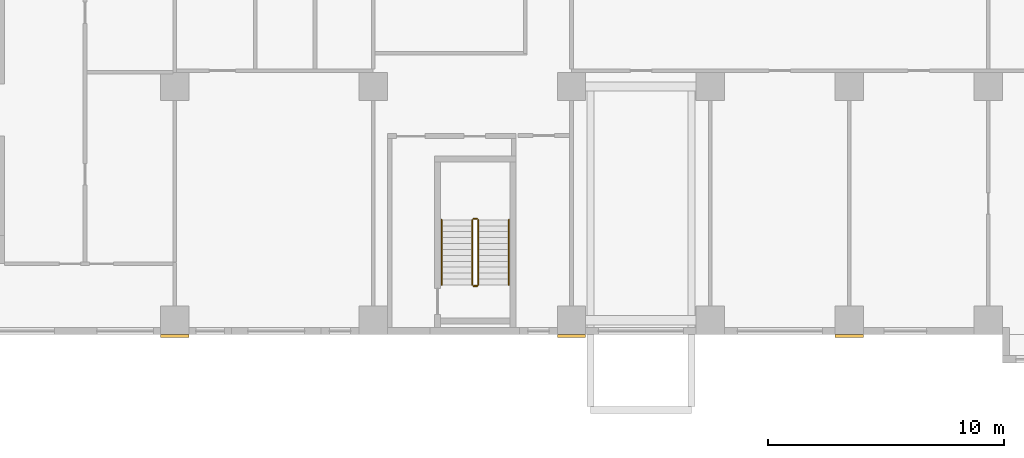
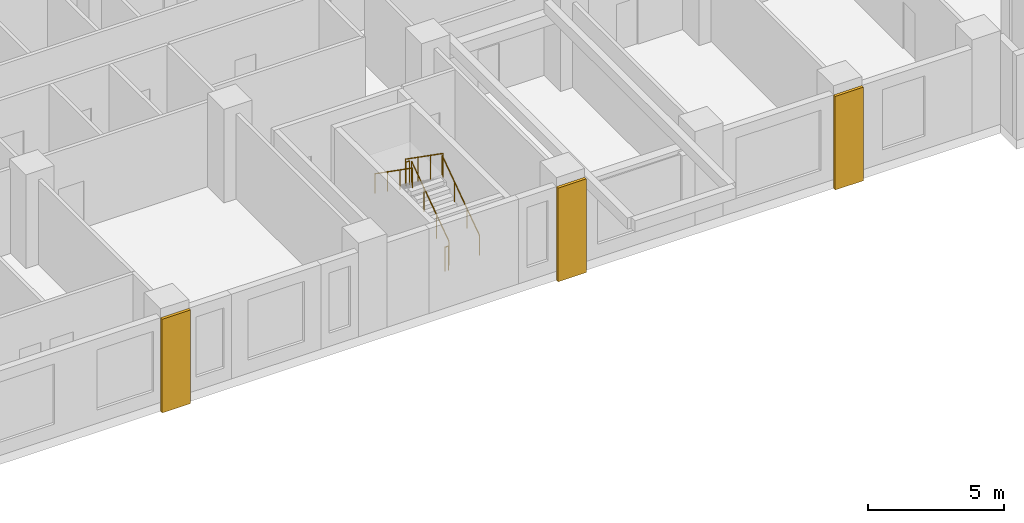
# One storey, part 12 of 14: 6 railings, 3 coverings.
"""IFC4 building model written with IfcOpenShell, lengths in metres."""

import ifcopenshell
import ifcopenshell.guid

model = None  # the IFC model being written
_history = None  # IfcOwnerHistory: only IFC2X3 demands one
_inside = {}  # id of a spatial element -> (the spatial element, [elements in it])
_under = {}  # id of a project, library or spatial element -> (it, [spatial elements below it])
_declared = {}  # id of a project -> (the project, [libraries it declares])
_typed = {}  # id of a type object -> (the type object, [elements of that type])
_made_of = {}  # id of a material, layer set ... -> (it, [elements and type objects made of it])


def new_model(schema):
    """Start an empty IFC model of exactly this schema.

    Asked for "IFC4X3", IfcOpenShell would pick the latest addendum, in which some entities
    have other attributes; the version numbers below select the first issue.
    IFC2X3 requires an IfcOwnerHistory on every rooted entity: one is made here for all.
    """
    global model, _history
    if schema == "IFC4X3":
        model = ifcopenshell.file(schema_version=(4, 3, 0, 0))
    else:
        model = ifcopenshell.file(schema=schema)
    _inside.clear()
    _under.clear()
    _declared.clear()
    _typed.clear()
    _made_of.clear()
    _history = None
    if model.schema == "IFC2X3":
        org = make("IfcOrganization", Name="unknown")
        user = make(
            "IfcPersonAndOrganization",
            ThePerson=make("IfcPerson", FamilyName="unknown"),
            TheOrganization=org,
        )
        app = make(
            "IfcApplication",
            ApplicationDeveloper=org,
            Version="unknown",
            ApplicationFullName="unknown",
            ApplicationIdentifier="unknown",
        )
        _history = make(
            "IfcOwnerHistory",
            OwningUser=user,
            OwningApplication=app,
            ChangeAction="ADDED",
            CreationDate=0,
        )
    return model


def make(cls, **values):
    """One entity of the class cls with the attributes given. An attribute that is None is left unset."""
    return model.create_entity(
        cls, **{name: value for name, value in values.items() if value is not None}
    )


def rooted(cls, **values):
    """An entity with a GlobalId (a new one), such as an element, a storey or a relation."""
    return make(cls, GlobalId=ifcopenshell.guid.new(), OwnerHistory=_history, **values)


def si_unit(unit_type, name, prefix=None):
    """IfcSIUnit, for example si_unit("LENGTHUNIT", "METRE", prefix="MILLI")."""
    return make("IfcSIUnit", UnitType=unit_type, Prefix=prefix, Name=name)


def assignment(units):
    """IfcUnitAssignment: the units of a project."""
    return None if units is None else make("IfcUnitAssignment", Units=units)


def point(xyz):
    """IfcCartesianPoint."""
    return None if xyz is None else make("IfcCartesianPoint", Coordinates=xyz)


def direction(xyz):
    """IfcDirection."""
    return None if xyz is None else make("IfcDirection", DirectionRatios=xyz)


def frame(location, z_axis=None, x_axis=None):
    """IfcAxis2Placement3D, a coordinate frame: its origin and axes. An axis left out is left unset."""
    return make(
        "IfcAxis2Placement3D",
        Location=point(location),
        Axis=direction(z_axis),
        RefDirection=direction(x_axis),
    )


def frame_2d(location, x_axis=None):
    """IfcAxis2Placement2D, a coordinate frame in the plane: its origin and x axis."""
    return make(
        "IfcAxis2Placement2D", Location=point(location), RefDirection=direction(x_axis)
    )


def origin():
    """The frame at (0, 0, 0) with its axes left unset."""
    return frame((0.0, 0.0, 0.0))


def origin_2d():
    """The frame at (0, 0) in the plane with its x axis left unset."""
    return frame_2d((0.0, 0.0))


def place(relative_to, where):
    """IfcLocalPlacement: puts the frame where relative to a parent placement (None: the world)."""
    return make(
        "IfcLocalPlacement", PlacementRelTo=relative_to, RelativePlacement=where
    )


def context(
    kind, dimensions, precision=None, world=None, true_north=None, identifier=None
):
    """IfcGeometricRepresentationContext, for example the 3D "Model" context."""
    return make(
        "IfcGeometricRepresentationContext",
        ContextIdentifier=identifier,
        ContextType=kind,
        CoordinateSpaceDimension=dimensions,
        Precision=precision,
        WorldCoordinateSystem=world,
        TrueNorth=true_north,
    )


def subcontext(parent, identifier, kind, view, scale=None):
    """IfcGeometricRepresentationSubContext, for example "Body" below "Model"."""
    return make(
        "IfcGeometricRepresentationSubContext",
        ContextIdentifier=identifier,
        ContextType=kind,
        ParentContext=parent,
        TargetScale=scale,
        TargetView=view,
    )


def project(units=None, contexts=None):
    """IfcProject with its units and contexts."""
    return rooted(
        "IfcProject",
        Name="project",
        RepresentationContexts=contexts,
        UnitsInContext=assignment(units),
    )


def spatial(cls, under=None, at=None, **own):
    """A site, building, storey or space (cls), placed at a placement, below another one or the project."""
    s = rooted(cls, ObjectPlacement=at, **own)
    if under is not None:
        _under.setdefault(under.id(), (under, []))[1].append(s)
    return s


def profile(cls, at=None, kind="AREA", **sizes):
    """A parametric profile (cls). Its sizes go by their IFC names, for example OverallWidth=200.0."""
    return make(cls, ProfileType=kind, Position=at, **sizes)


def rectangle(**sizes):
    """IfcRectangleProfileDef."""
    return profile("IfcRectangleProfileDef", **sizes)


def circle(**sizes):
    """IfcCircleProfileDef."""
    return profile("IfcCircleProfileDef", **sizes)


def extrude(swept, where, along, depth):
    """IfcExtrudedAreaSolid: the profile swept, set in the frame where, extruded along a direction by depth."""
    return make(
        "IfcExtrudedAreaSolid",
        SweptArea=swept,
        Position=where,
        ExtrudedDirection=direction(along),
        Depth=depth,
    )


def shape(context_of_items, identifier, shape_type, items):
    """IfcShapeRepresentation: the items that make up one representation, for example the "Body"."""
    return make(
        "IfcShapeRepresentation",
        ContextOfItems=context_of_items,
        RepresentationIdentifier=identifier,
        RepresentationType=shape_type,
        Items=items,
    )


def source(mapping_origin, context_of_items, identifier, shape_type, items):
    """IfcRepresentationMap: a shape defined once, which mapped items show again and again."""
    return make(
        "IfcRepresentationMap",
        MappingOrigin=mapping_origin,
        MappedRepresentation=shape(context_of_items, identifier, shape_type, items),
    )


def transform(
    local_origin,
    x_axis=None,
    y_axis=None,
    z_axis=None,
    scale=None,
    scale2=None,
    scale3=None,
    uniform=True,
):
    """IfcCartesianTransformationOperator3D, or its non-uniform kind. x_axis, y_axis, z_axis: its Axis1, 2, 3."""
    if uniform:
        return make(
            "IfcCartesianTransformationOperator3D",
            Axis1=direction(x_axis),
            Axis2=direction(y_axis),
            LocalOrigin=point(local_origin),
            Scale=scale,
            Axis3=direction(z_axis),
        )
    return make(
        "IfcCartesianTransformationOperator3DnonUniform",
        Axis1=direction(x_axis),
        Axis2=direction(y_axis),
        LocalOrigin=point(local_origin),
        Scale=scale,
        Axis3=direction(z_axis),
        Scale2=scale2,
        Scale3=scale3,
    )


def mapped(mapping_source, mapping_target):
    """IfcMappedItem: shows the shape of a source again, moved by a transform."""
    return make(
        "IfcMappedItem", MappingSource=mapping_source, MappingTarget=mapping_target
    )


def material(Name=None, Category=None):
    """IfcMaterial."""
    return make("IfcMaterial", Name=Name, Category=Category)


def made_of(thing, what):
    """Note that an element or type object is made of a material, layer set ...; save() writes the relation."""
    if what is not None:
        _made_of.setdefault(what.id(), (what, []))[1].append(thing)
    return thing


def type_object(cls, material=None, **own):
    """A type object (cls), such as IfcWallType, which elements share."""
    return made_of(rooted(cls, **own), material)


def element(
    cls,
    number,
    at=None,
    inside=None,
    cuts=None,
    type_object=None,
    material=None,
    context=None,
    identifier="Body",
    shape_type=None,
    held_by="IfcProductDefinitionShape",
    body=None,
    shapes=None,
    **own,
):
    """One element of the class cls, such as IfcWall. Its Tag is "e" and its number.

    at: its placement. inside: the storey or other place that contains it. cuts: it is an
    opening in that element (IfcRelVoidsElement). A single representation is given by context,
    identifier, shape_type and body (its items); several are given by shapes. held_by: the class
    of the entity that holds the representations. save() writes the other relations.
    """
    e = rooted(cls, Tag="e%d" % number, ObjectPlacement=at, **own)
    if body is not None:
        shapes = [shape(context, identifier, shape_type, body)]
    if shapes is not None:
        e.Representation = make(held_by, Representations=shapes)
    if inside is not None:
        _inside.setdefault(inside.id(), (inside, []))[1].append(e)
    if cuts is not None:
        rooted(
            "IfcRelVoidsElement", RelatingBuildingElement=cuts, RelatedOpeningElement=e
        )
    if type_object is not None:
        _typed.setdefault(type_object.id(), (type_object, []))[1].append(e)
    return made_of(e, material)


def aggregate(whole, parts):
    """IfcRelAggregates: a whole, such as a stair, and the parts it consists of."""
    return rooted("IfcRelAggregates", RelatingObject=whole, RelatedObjects=parts)


def save(model, path):
    """Write the relations noted so far, then the file.

    IfcRelAggregates (storeys below a building ...), IfcRelContainedInSpatialStructure (elements
    in a storey), IfcRelDefinesByType, IfcRelAssociatesMaterial and IfcRelDeclares: one each for
    every whole, place, type object, material and project.
    """
    for whole, parts in _under.values():
        aggregate(whole, parts)
    for where, things in _inside.values():
        rooted(
            "IfcRelContainedInSpatialStructure",
            RelatedElements=things,
            RelatingStructure=where,
        )
    for kind, things in _typed.values():
        rooted("IfcRelDefinesByType", RelatedObjects=things, RelatingType=kind)
    for what, things in _made_of.values():
        rooted("IfcRelAssociatesMaterial", RelatedObjects=things, RelatingMaterial=what)
    for by, libraries in _declared.values():
        rooted("IfcRelDeclares", RelatingContext=by, RelatedDefinitions=libraries)
    model.write(path)


model = new_model("IFC4")

# Units and contexts
model_context = context("Model", 3, precision=1e-05, world=origin(), true_north=direction((0.0, 1.0)))
body_context = subcontext(model_context, "Body", "Model", "MODEL_VIEW")
ifc_project = project(units=[si_unit("LENGTHUNIT", "METRE"), si_unit("AREAUNIT", "SQUARE_METRE"), si_unit("VOLUMEUNIT", "CUBIC_METRE"), si_unit("PLANEANGLEUNIT", "RADIAN"), si_unit("MASSUNIT", "GRAM", prefix="KILO")], contexts=[model_context])

# Site, building, storey
site_placement = place(None, origin())
site = spatial("IfcSite", under=ifc_project, at=site_placement, CompositionType="ELEMENT")
building_placement = place(site_placement, origin())
building = spatial("IfcBuilding", under=site, at=building_placement, Name="Aurelian Terraces", CompositionType="ELEMENT")
storey_placement = place(building_placement, frame((0.0, 0.0, 90.9)))
storey = spatial("IfcBuildingStorey", under=building, at=storey_placement, Name="L19", CompositionType="ELEMENT", Elevation=90.9)

# Coverings
ifc_material_1 = material(Name="Terracotta rainscreen cladding relief", Category="masonry")
covering_type = type_object("IfcCoveringType", Name="BAGUETTE-TC", PredefinedType="CLADDING", material=ifc_material_1)
shared_shape_1 = source(origin(), body_context, "Body", "SweptSolid", [
    extrude(rectangle(XDim=1.2, YDim=0.12, at=origin_2d()), origin(), (0.0, 0.0, 1.0), 4.2),
])
for number, where, z_axis, x_axis, name in (
    (1, (29.4, -0.06, -0.4), (0.0, 0.0, 1.0), (1.0, 0.0, 0.0), "BAGUETTE pier L19 2"),
    (2, (46.2, -0.06, -0.4), (0.0, 0.0, 1.0), (1.0, 0.0, 0.0), "BAGUETTE pier L19 3"),
    (3, (57.96, -0.06, -0.4), (0.0, 0.0, 1.0), (1.0, 0.0, 0.0), "BAGUETTE pier L19 4"),
):
    element("IfcCovering", number, at=place(storey_placement, frame(where, z_axis=z_axis, x_axis=x_axis)), inside=storey, type_object=covering_type, Name=name, PredefinedType="CLADDING", context=body_context, shape_type="MappedRepresentation", body=[
        mapped(shared_shape_1, transform((0.0, 0.0, 0.0), scale=1.0)),
    ])

# Railings
ifc_material_2 = material(Name="Stainless steel", Category="steel")
railing_type_1 = type_object("IfcRailingType", Name="Stair guard 1100", PredefinedType="GUARDRAIL", material=ifc_material_2)
shared_shape_2 = source(origin(), body_context, "Body", "SweptSolid", [
    extrude(circle(Radius=0.024, at=origin_2d()), frame((0.0, 0.0, 1.076), z_axis=(-1.0, 0.0, 0.0), x_axis=(0.0, -1.0, 0.0)), (0.0, 0.0, 1.0), 0.15),
    extrude(circle(Radius=0.021, at=origin_2d()), origin(), (0.0, 0.0, 1.0), 1.052),
    extrude(circle(Radius=0.021, at=origin_2d()), frame((-0.15, 0.0, 0.0)), (0.0, 0.0, 1.0), 1.052),
])
for number, where, name in (
    (4, (42.2, 4.9, 2.1), "L19 S2 stair guard 2"),
    (5, (42.2, 2.05, 0.0), "L19 S2 stair guard 4"),
):
    element("IfcRailing", number, at=place(storey_placement, frame(where)), inside=storey, type_object=railing_type_1, Name=name, PredefinedType="GUARDRAIL", context=body_context, shape_type="MappedRepresentation", body=[
        mapped(shared_shape_2, transform((0.0, 0.0, 0.0), scale=1.0)),
    ])
shared_shape_3 = source(origin(), body_context, "Body", "SweptSolid", [
    extrude(circle(Radius=0.024, at=origin_2d()), frame((0.0, 0.0, 1.076), z_axis=(0.0, 0.819231920519, 0.573462344363), x_axis=(-1.0, 0.0, 0.0)), (0.0, 0.0, 1.0), 3.3568),
    extrude(circle(Radius=0.021, at=origin_2d()), origin(), (0.0, 0.0, 1.0), 1.052),
    extrude(circle(Radius=0.021, at=origin_2d()), frame((0.0, 0.9167, 0.6417)), (0.0, 0.0, 1.0), 1.052),
    extrude(circle(Radius=0.021, at=origin_2d()), frame((0.0, 1.8333, 1.2833)), (0.0, 0.0, 1.0), 1.052),
    extrude(circle(Radius=0.021, at=origin_2d()), frame((0.0, 2.75, 1.925)), (0.0, 0.0, 1.0), 1.052),
])
railing_1_placement = place(storey_placement, frame((42.25, 2.1, 0.175)))
element("IfcRailing", 6, at=railing_1_placement, inside=storey, type_object=railing_type_1, Name="L19 S2 stair guard 1", PredefinedType="GUARDRAIL", context=body_context, shape_type="MappedRepresentation", body=[
    mapped(shared_shape_3, transform((0.0, 0.0, 0.0), scale=1.0)),
])
shared_shape_4 = source(origin(), body_context, "Body", "SweptSolid", [
    extrude(circle(Radius=0.024, at=origin_2d()), frame((0.0, 0.0, 1.076), z_axis=(0.0, -0.819231920519, 0.573462344363), x_axis=(1.0, 0.0, 0.0)), (0.0, 0.0, 1.0), 3.3568),
    extrude(circle(Radius=0.021, at=origin_2d()), origin(), (0.0, 0.0, 1.0), 1.052),
    extrude(circle(Radius=0.021, at=origin_2d()), frame((0.0, -0.9167, 0.6417)), (0.0, 0.0, 1.0), 1.052),
    extrude(circle(Radius=0.021, at=origin_2d()), frame((0.0, -1.8333, 1.2833)), (0.0, 0.0, 1.0), 1.052),
    extrude(circle(Radius=0.021, at=origin_2d()), frame((0.0, -2.75, 1.925)), (0.0, 0.0, 1.0), 1.052),
])
railing_2_placement = place(storey_placement, frame((42.0, 4.85, 2.275)))
element("IfcRailing", 7, at=railing_2_placement, inside=storey, type_object=railing_type_1, Name="L19 S2 stair guard 3", PredefinedType="GUARDRAIL", context=body_context, shape_type="MappedRepresentation", body=[
    mapped(shared_shape_4, transform((0.0, 0.0, 0.0), scale=1.0)),
])
railing_type_2 = type_object("IfcRailingType", Name="Stair handrail", PredefinedType="HANDRAIL", material=ifc_material_2)
shared_shape_5 = source(origin(), body_context, "Body", "SweptSolid", [
    extrude(circle(Radius=0.024, at=origin_2d()), frame((0.0, 0.0, 0.876), z_axis=(0.0, 0.819231920519, 0.573462344363), x_axis=(-1.0, 0.0, 0.0)), (0.0, 0.0, 1.0), 3.3568),
    extrude(circle(Radius=0.021, at=origin_2d()), origin(), (0.0, 0.0, 1.0), 0.852),
    extrude(circle(Radius=0.021, at=origin_2d()), frame((0.0, 0.9167, 0.6417)), (0.0, 0.0, 1.0), 0.852),
    extrude(circle(Radius=0.021, at=origin_2d()), frame((0.0, 1.8333, 1.2833)), (0.0, 0.0, 1.0), 0.852),
    extrude(circle(Radius=0.021, at=origin_2d()), frame((0.0, 2.75, 1.925)), (0.0, 0.0, 1.0), 0.852),
])
railing_3_placement = place(storey_placement, frame((43.55, 2.1, 0.175)))
element("IfcRailing", 8, at=railing_3_placement, inside=storey, type_object=railing_type_2, Name="L19 S2 stair handrail 1", PredefinedType="HANDRAIL", context=body_context, shape_type="MappedRepresentation", body=[
    mapped(shared_shape_5, transform((0.0, 0.0, 0.0), scale=1.0)),
])
shared_shape_6 = source(origin(), body_context, "Body", "SweptSolid", [
    extrude(circle(Radius=0.024, at=origin_2d()), frame((0.0, 0.0, 0.876), z_axis=(0.0, -0.819231920519, 0.573462344363), x_axis=(1.0, 0.0, 0.0)), (0.0, 0.0, 1.0), 3.3568),
    extrude(circle(Radius=0.021, at=origin_2d()), origin(), (0.0, 0.0, 1.0), 0.852),
    extrude(circle(Radius=0.021, at=origin_2d()), frame((0.0, -0.9167, 0.6417)), (0.0, 0.0, 1.0), 0.852),
    extrude(circle(Radius=0.021, at=origin_2d()), frame((0.0, -1.8333, 1.2833)), (0.0, 0.0, 1.0), 0.852),
    extrude(circle(Radius=0.021, at=origin_2d()), frame((0.0, -2.75, 1.925)), (0.0, 0.0, 1.0), 0.852),
])
railing_4_placement = place(storey_placement, frame((40.7, 4.85, 2.275)))
element("IfcRailing", 9, at=railing_4_placement, inside=storey, type_object=railing_type_2, Name="L19 S2 stair handrail 2", PredefinedType="HANDRAIL", context=body_context, shape_type="MappedRepresentation", body=[
    mapped(shared_shape_6, transform((0.0, 0.0, 0.0), scale=1.0)),
])

save(model, "model.ifc")
